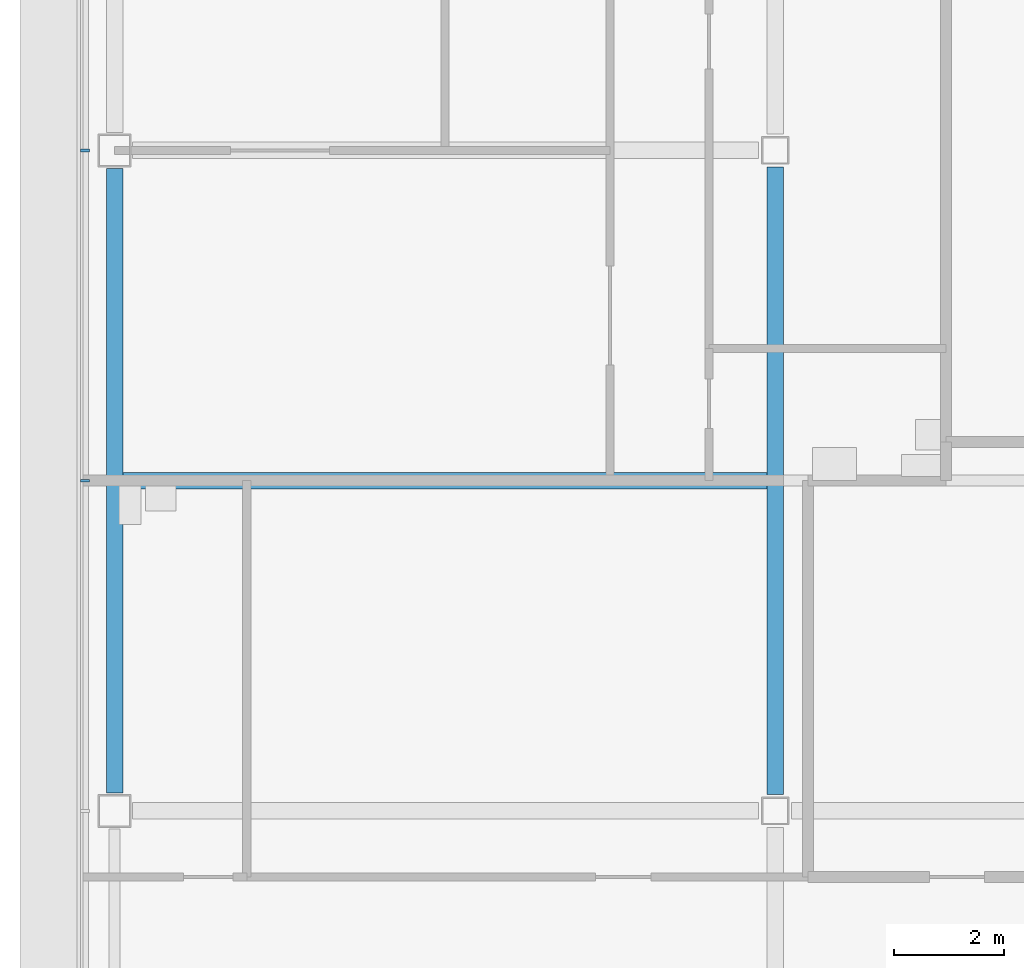
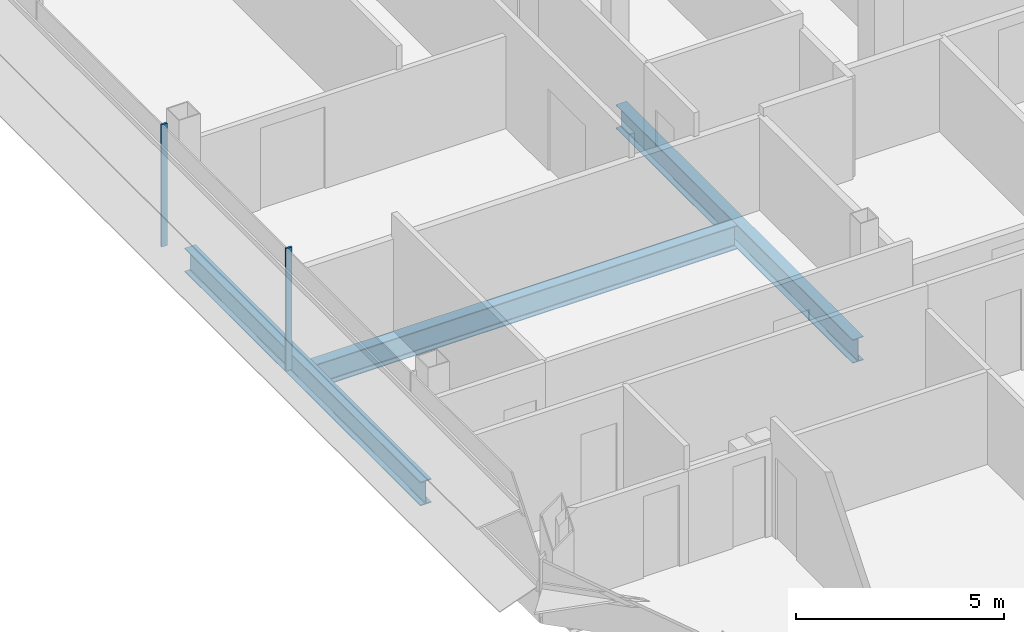
# One storey, part 5 of 27: 3 beams, 2 members, 1 element without a shape of its own.
"""IFC4 building model written with IfcOpenShell, lengths in metres."""

from ifc_helpers import new_model, si_unit, direction, frame, origin, origin_2d, place, context, subcontext, project, spatial, rectangle, i_section, extrude, material, material_profile, profile_set, type_object, element, aggregate, save


model = new_model("IFC4")

# Units and contexts
model_context = context("Model", 3, precision=1e-05, world=origin(), true_north=direction((0.0, 1.0)))
body_context = subcontext(model_context, "Body", "Model", "MODEL_VIEW")
ifc_project = project(units=[si_unit("LENGTHUNIT", "METRE"), si_unit("AREAUNIT", "SQUARE_METRE"), si_unit("VOLUMEUNIT", "CUBIC_METRE"), si_unit("PLANEANGLEUNIT", "RADIAN"), si_unit("MASSUNIT", "GRAM", prefix="KILO")], contexts=[model_context])

# Site, building, storey
site_placement = place(None, origin())
site = spatial("IfcSite", under=ifc_project, at=site_placement, CompositionType="ELEMENT")
building_placement = place(site_placement, origin())
building = spatial("IfcBuilding", under=site, at=building_placement, Name="Sorahane Residences", CompositionType="ELEMENT")
storey_placement = place(building_placement, frame((0.0, 0.0, 246.800048828125)))
storey = spatial("IfcBuildingStorey", under=building, at=storey_placement, Name="L58", CompositionType="ELEMENT", Elevation=246.800048828125)

# Curtain wall, members
ifc_material_1 = material(Name="Dark low-e glass and black anodised aluminium", Category="aluminium")
curtain_wall_type = type_object("IfcCurtainWallType", Name="Curtain wall CW-1 Typical unitised wall", PredefinedType="NOTDEFINED", material=ifc_material_1)
curtain_wall_placement = place(storey_placement, origin())
curtain_wall = element("IfcCurtainWall", 1, at=curtain_wall_placement, inside=storey, type_object=curtain_wall_type, Name="CW-1 curtain wall L58 W1", PredefinedType="NOTDEFINED")
ifc_material_2 = material(Name="Black anodised aluminium", Category="aluminium")
ifc_material_profile_1 = material_profile(ifc_material_2, rectangle(XDim=0.159912109375, YDim=0.050048828125, at=origin_2d()), Name="Curtain wall mullion CW-1 black anodised aluminium 50x160")
ifc_profile_set_1 = profile_set([ifc_material_profile_1], Name="Black anodised aluminium")
member_type = type_object("IfcMemberType", Name="Curtain wall mullion CW-1 black anodised aluminium 50x160", PredefinedType="MULLION", material=ifc_profile_set_1)
member_1_placement = place(storey_placement, frame((-12.5400390625, 24.0, -0.179931640625), z_axis=(0.0, 0.0, 1.0), x_axis=(-1.0, 0.0, 0.0)))
member_1 = element("IfcMember", 2, at=member_1_placement, type_object=member_type, Name="CW-1 mullion L58 W1.4", PredefinedType="MULLION", context=body_context, shape_type="SweptSolid", body=[
    extrude(rectangle(XDim=0.159912109375, YDim=0.050048828125, at=origin_2d()), origin(), (0.0, 0.0, 1.0), 3.599853515625),
])
member_2_placement = place(storey_placement, frame((-12.5400390625, 18.0, -0.179931640625), z_axis=(0.0, 0.0, 1.0), x_axis=(-1.0, 0.0, 0.0)))
member_2 = element("IfcMember", 3, at=member_2_placement, type_object=member_type, Name="CW-1 mullion L58 W1.5", PredefinedType="MULLION", context=body_context, shape_type="SweptSolid", body=[
    extrude(rectangle(XDim=0.159912109375, YDim=0.050048828125, at=origin_2d()), origin(), (0.0, 0.0, 1.0), 3.599853515625),
])
aggregate(curtain_wall, [member_1, member_2])

# Beams
ifc_material_3 = material(Name="Steel Q355B", Category="steel")
ifc_material_profile_2 = material_profile(ifc_material_3, i_section(OverallWidth=0.300048828125, OverallDepth=0.699951171875, WebThickness=0.012939453125, FlangeThickness=0.02392578125, FilletRadius=0.028076171875, at=origin_2d()), Name="HN 700x300x13x24")
ifc_profile_set_2 = profile_set([ifc_material_profile_2], Name="Steel Q355B")
beam_type = type_object("IfcBeamType", Name="Steel floor beam HN 700x300x13x24 Q355B", PredefinedType="BEAM", material=ifc_profile_set_2)
beam_1_placement = place(storey_placement, frame((-12.0, 12.324951171875, -0.530029296875), z_axis=(0.0, 1.0, 0.0), x_axis=(-1.0, 0.0, 0.0)))
element("IfcBeam", 4, at=beam_1_placement, inside=storey, type_object=beam_type, Name="Beam L58 021", PredefinedType="BEAM", context=body_context, shape_type="SweptSolid", body=[
    extrude(i_section(OverallWidth=0.300048828125, OverallDepth=0.699951171875, WebThickness=0.012939453125, FlangeThickness=0.02392578125, FilletRadius=0.028076171875, at=origin_2d()), origin(), (0.0, 0.0, 1.0), 11.35009765625),
])
beam_2_placement = place(storey_placement, frame((0.0, 12.300048828125, -0.530029296875), z_axis=(0.0, 1.0, 0.0), x_axis=(-1.0, 0.0, 0.0)))
element("IfcBeam", 5, at=beam_2_placement, inside=storey, type_object=beam_type, Name="Beam L58 025", PredefinedType="BEAM", context=body_context, shape_type="SweptSolid", body=[
    extrude(i_section(OverallWidth=0.300048828125, OverallDepth=0.699951171875, WebThickness=0.012939453125, FlangeThickness=0.02392578125, FilletRadius=0.028076171875, at=origin_2d()), origin(), (0.0, 0.0, 1.0), 11.39990234375),
])
beam_3_placement = place(storey_placement, frame((-11.85009765625, 18.0, -0.530029296875), z_axis=(1.0, 0.0, 0.0), x_axis=(0.0, 1.0, 0.0)))
element("IfcBeam", 6, at=beam_3_placement, inside=storey, type_object=beam_type, Name="Beam L58 078", PredefinedType="BEAM", context=body_context, shape_type="SweptSolid", body=[
    extrude(i_section(OverallWidth=0.300048828125, OverallDepth=0.699951171875, WebThickness=0.012939453125, FlangeThickness=0.02392578125, FilletRadius=0.028076171875, at=origin_2d()), origin(), (0.0, 0.0, 1.0), 11.7001953125),
])

save(model, "model.ifc")
